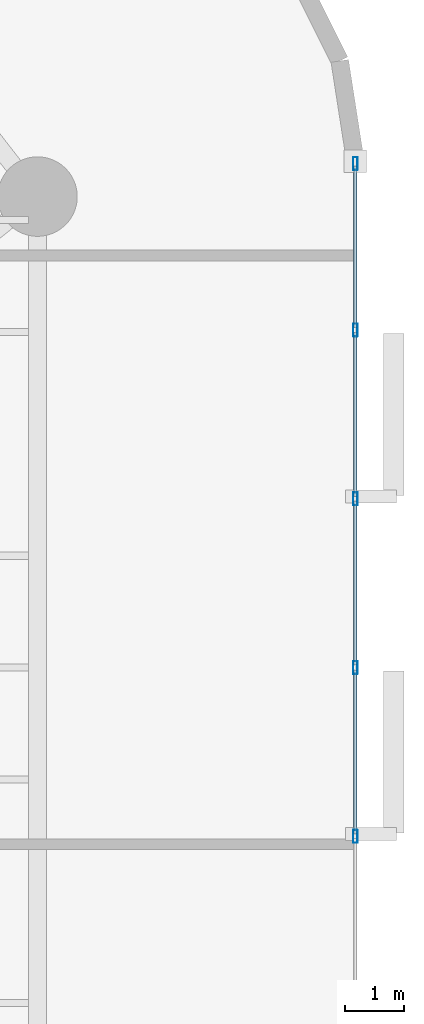
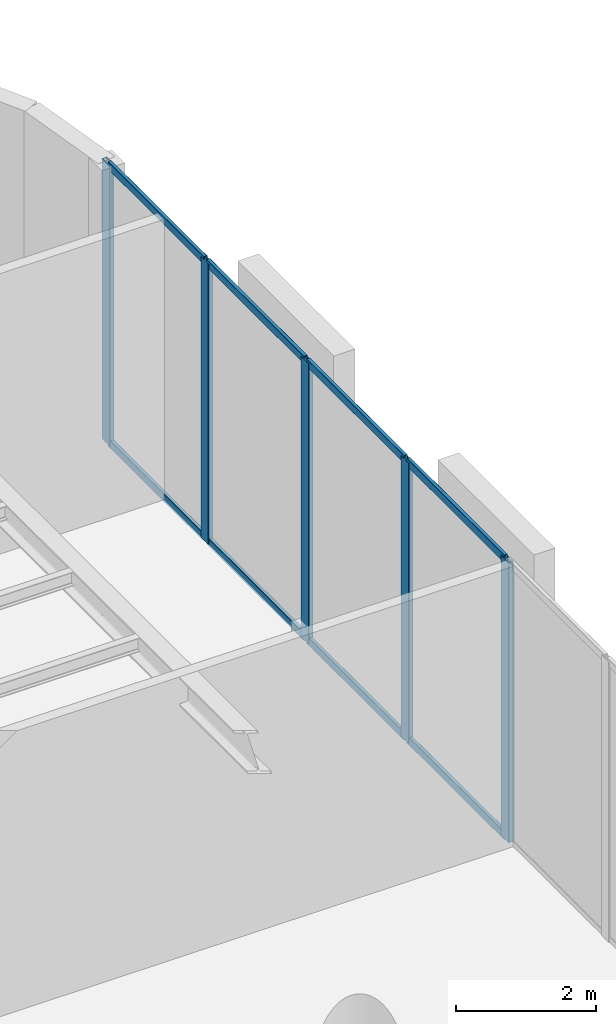
# One storey, part 6 of 14: 13 members, 1 element without a shape of its own.
"""IFC4 building model written with IfcOpenShell, lengths in metres."""

from ifc_helpers import new_model, si_unit, direction, frame, origin, origin_2d, place, context, subcontext, project, spatial, hollow_rectangle, extrude, material, layer, layer_set, material_profile, profile_set, type_object, element, aggregate, save


model = new_model("IFC4")

# Units and contexts
model_context = context("Model", 3, precision=1e-05, world=origin(), true_north=direction((0.0, 1.0)))
body_context = subcontext(model_context, "Body", "Model", "MODEL_VIEW")
ifc_project = project(units=[si_unit("LENGTHUNIT", "METRE"), si_unit("AREAUNIT", "SQUARE_METRE"), si_unit("VOLUMEUNIT", "CUBIC_METRE"), si_unit("PLANEANGLEUNIT", "RADIAN"), si_unit("MASSUNIT", "GRAM", prefix="KILO")], contexts=[model_context])

# Site, building, storey
site_placement = place(None, origin())
site = spatial("IfcSite", under=ifc_project, at=site_placement, CompositionType="ELEMENT")
building_placement = place(site_placement, origin())
building = spatial("IfcBuilding", under=site, at=building_placement, Name="An Khanh Terracotta Commons", CompositionType="ELEMENT")
storey_placement = place(building_placement, frame((0.0, 0.0, 81.199951171875)))
storey = spatial("IfcBuildingStorey", under=building, at=storey_placement, Name="L21", CompositionType="ELEMENT", Elevation=81.199951171875)

# Curtain wall, members
ifc_material = material(Name="Anodised Aluminium 6063-T6", Category="aluminium")
ifc_layer = layer(ifc_material, 0.239990234375, Name="Anodised Aluminium 6063-T6")
ifc_layer_set = layer_set([ifc_layer], Name="Anodised Aluminium 6063-T6")
curtain_wall_type = type_object("IfcCurtainWallType", Name="CW-SYS-04", PredefinedType="USERDEFINED", material=ifc_layer_set)
curtain_wall_placement = place(storey_placement, origin())
curtain_wall = element("IfcCurtainWall", 1, at=curtain_wall_placement, inside=storey, type_object=curtain_wall_type, Name="L21 CW-04 Unitised Curtain Wall CW-L21-12", ObjectType="UNITISED CURTAIN WALL", PredefinedType="USERDEFINED")
ifc_material_profile_1 = material_profile(ifc_material, hollow_rectangle(XDim=0.080078125, YDim=0.219970703125, WallThickness=0.0048828125, InnerFilletRadius=0.0048828125, OuterFilletRadius=0.010009765625, at=origin_2d()), Name="RHS220x80x5")
ifc_profile_set_1 = profile_set([ifc_material_profile_1], Name="Anodised Aluminium 6063-T6")
member_type_1 = type_object("IfcMemberType", Name="CWM-RHS220x80x5", PredefinedType="MULLION", material=ifc_profile_set_1)
member_1_placement = place(storey_placement, frame((57.39990234375, 21.13330078125, 0.0), z_axis=(0.0, 0.0, 1.0), x_axis=(-1.0, 0.0, 0.0)))
member_1 = element("IfcMember", 2, at=member_1_placement, type_object=member_type_1, Name="CW-04 mullion 3", PredefinedType="MULLION", context=body_context, shape_type="SweptSolid", body=[
    extrude(hollow_rectangle(XDim=0.080078125, YDim=0.219970703125, WallThickness=0.0048828125, InnerFilletRadius=0.0048828125, OuterFilletRadius=0.010009765625, at=origin_2d()), origin(), (0.0, 0.0, 1.0), 4.900146484375),
])
member_2_placement = place(storey_placement, frame((57.39990234375, 24.0, 0.0), z_axis=(0.0, 0.0, 1.0), x_axis=(-1.0, 0.0, 0.0)))
member_2 = element("IfcMember", 3, at=member_2_placement, type_object=member_type_1, Name="CW-04 mullion 4", PredefinedType="MULLION", context=body_context, shape_type="SweptSolid", body=[
    extrude(hollow_rectangle(XDim=0.080078125, YDim=0.219970703125, WallThickness=0.0048828125, InnerFilletRadius=0.0048828125, OuterFilletRadius=0.010009765625, at=origin_2d()), origin(), (0.0, 0.0, 1.0), 4.900146484375),
])
member_3_placement = place(storey_placement, frame((57.39990234375, 26.86669921875, 0.0), z_axis=(0.0, 0.0, 1.0), x_axis=(-1.0, 0.0, 0.0)))
member_3 = element("IfcMember", 4, at=member_3_placement, type_object=member_type_1, Name="CW-04 mullion 5", PredefinedType="MULLION", context=body_context, shape_type="SweptSolid", body=[
    extrude(hollow_rectangle(XDim=0.080078125, YDim=0.219970703125, WallThickness=0.0048828125, InnerFilletRadius=0.0048828125, OuterFilletRadius=0.010009765625, at=origin_2d()), origin(), (0.0, 0.0, 1.0), 4.900146484375),
])
member_4_placement = place(storey_placement, frame((57.39990234375, 29.7333984375, 0.0), z_axis=(0.0, 0.0, 1.0), x_axis=(-1.0, 0.0, 0.0)))
member_4 = element("IfcMember", 5, at=member_4_placement, type_object=member_type_1, Name="CW-04 mullion 6", PredefinedType="MULLION", context=body_context, shape_type="SweptSolid", body=[
    extrude(hollow_rectangle(XDim=0.080078125, YDim=0.219970703125, WallThickness=0.0048828125, InnerFilletRadius=0.0048828125, OuterFilletRadius=0.010009765625, at=origin_2d()), origin(), (0.0, 0.0, 1.0), 4.900146484375),
])
member_5_placement = place(storey_placement, frame((57.39990234375, 32.56005859375, 0.0), z_axis=(0.0, 0.0, 1.0), x_axis=(-1.0, 0.0, 0.0)))
member_5 = element("IfcMember", 6, at=member_5_placement, type_object=member_type_1, Name="CW-04 mullion 7", PredefinedType="MULLION", context=body_context, shape_type="SweptSolid", body=[
    extrude(hollow_rectangle(XDim=0.080078125, YDim=0.219970703125, WallThickness=0.0048828125, InnerFilletRadius=0.0048828125, OuterFilletRadius=0.010009765625, at=origin_2d()), origin(), (0.0, 0.0, 1.0), 4.900146484375),
])
ifc_material_profile_2 = material_profile(ifc_material, hollow_rectangle(XDim=0.06005859375, YDim=0.135009765625, WallThickness=0.003662109375, InnerFilletRadius=0.003662109375, OuterFilletRadius=0.007080078125, at=origin_2d()), Name="RHS135x60x3.6")
ifc_profile_set_2 = profile_set([ifc_material_profile_2], Name="Anodised Aluminium 6063-T6")
member_type_2 = type_object("IfcMemberType", Name="CWT-RHS135x60x3.6", PredefinedType="USERDEFINED", material=ifc_profile_set_2)
member_6_placement = place(storey_placement, frame((57.39990234375, 21.17333984375, 0.030029296875), z_axis=(0.0, 1.0, 0.0), x_axis=(-1.0, 0.0, 0.0)))
member_6 = element("IfcMember", 7, at=member_6_placement, type_object=member_type_2, Name="CW-04 transom 3.1", ObjectType="TRANSOM", PredefinedType="USERDEFINED", context=body_context, shape_type="SweptSolid", body=[
    extrude(hollow_rectangle(XDim=0.06005859375, YDim=0.135009765625, WallThickness=0.003662109375, InnerFilletRadius=0.003662109375, OuterFilletRadius=0.007080078125, at=origin_2d()), origin(), (0.0, 0.0, 1.0), 2.78662109375),
])
member_7_placement = place(storey_placement, frame((57.39990234375, 21.17333984375, 4.8701171875), z_axis=(0.0, 1.0, 0.0), x_axis=(-1.0, 0.0, 0.0)))
member_7 = element("IfcMember", 8, at=member_7_placement, type_object=member_type_2, Name="CW-04 transom 3.2", ObjectType="TRANSOM", PredefinedType="USERDEFINED", context=body_context, shape_type="SweptSolid", body=[
    extrude(hollow_rectangle(XDim=0.06005859375, YDim=0.135009765625, WallThickness=0.003662109375, InnerFilletRadius=0.003662109375, OuterFilletRadius=0.007080078125, at=origin_2d()), origin(), (0.0, 0.0, 1.0), 2.78662109375),
])
member_8_placement = place(storey_placement, frame((57.39990234375, 24.0400390625, 0.030029296875), z_axis=(0.0, 1.0, 0.0), x_axis=(-1.0, 0.0, 0.0)))
member_8 = element("IfcMember", 9, at=member_8_placement, type_object=member_type_2, Name="CW-04 transom 4.1", ObjectType="TRANSOM", PredefinedType="USERDEFINED", context=body_context, shape_type="SweptSolid", body=[
    extrude(hollow_rectangle(XDim=0.06005859375, YDim=0.135009765625, WallThickness=0.003662109375, InnerFilletRadius=0.003662109375, OuterFilletRadius=0.007080078125, at=origin_2d()), origin(), (0.0, 0.0, 1.0), 2.78662109375),
])
member_9_placement = place(storey_placement, frame((57.39990234375, 24.0400390625, 4.8701171875), z_axis=(0.0, 1.0, 0.0), x_axis=(-1.0, 0.0, 0.0)))
member_9 = element("IfcMember", 10, at=member_9_placement, type_object=member_type_2, Name="CW-04 transom 4.2", ObjectType="TRANSOM", PredefinedType="USERDEFINED", context=body_context, shape_type="SweptSolid", body=[
    extrude(hollow_rectangle(XDim=0.06005859375, YDim=0.135009765625, WallThickness=0.003662109375, InnerFilletRadius=0.003662109375, OuterFilletRadius=0.007080078125, at=origin_2d()), origin(), (0.0, 0.0, 1.0), 2.78662109375),
])
member_10_placement = place(storey_placement, frame((57.39990234375, 26.90673828125, 0.030029296875), z_axis=(0.0, 1.0, 0.0), x_axis=(-1.0, 0.0, 0.0)))
member_10 = element("IfcMember", 11, at=member_10_placement, type_object=member_type_2, Name="CW-04 transom 5.1", ObjectType="TRANSOM", PredefinedType="USERDEFINED", context=body_context, shape_type="SweptSolid", body=[
    extrude(hollow_rectangle(XDim=0.06005859375, YDim=0.135009765625, WallThickness=0.003662109375, InnerFilletRadius=0.003662109375, OuterFilletRadius=0.007080078125, at=origin_2d()), origin(), (0.0, 0.0, 1.0), 2.78662109375),
])
member_11_placement = place(storey_placement, frame((57.39990234375, 26.90673828125, 4.8701171875), z_axis=(0.0, 1.0, 0.0), x_axis=(-1.0, 0.0, 0.0)))
member_11 = element("IfcMember", 12, at=member_11_placement, type_object=member_type_2, Name="CW-04 transom 5.2", ObjectType="TRANSOM", PredefinedType="USERDEFINED", context=body_context, shape_type="SweptSolid", body=[
    extrude(hollow_rectangle(XDim=0.06005859375, YDim=0.135009765625, WallThickness=0.003662109375, InnerFilletRadius=0.003662109375, OuterFilletRadius=0.007080078125, at=origin_2d()), origin(), (0.0, 0.0, 1.0), 2.78662109375),
])
member_12_placement = place(storey_placement, frame((57.39990234375, 29.7734375, 0.030029296875), z_axis=(0.0, 1.0, 0.0), x_axis=(-1.0, 0.0, 0.0)))
member_12 = element("IfcMember", 13, at=member_12_placement, type_object=member_type_2, Name="CW-04 transom 6.1", ObjectType="TRANSOM", PredefinedType="USERDEFINED", context=body_context, shape_type="SweptSolid", body=[
    extrude(hollow_rectangle(XDim=0.06005859375, YDim=0.135009765625, WallThickness=0.003662109375, InnerFilletRadius=0.003662109375, OuterFilletRadius=0.007080078125, at=origin_2d()), origin(), (0.0, 0.0, 1.0), 2.74658203125),
])
member_13_placement = place(storey_placement, frame((57.39990234375, 29.7734375, 4.8701171875), z_axis=(0.0, 1.0, 0.0), x_axis=(-1.0, 0.0, 0.0)))
member_13 = element("IfcMember", 14, at=member_13_placement, type_object=member_type_2, Name="CW-04 transom 6.2", ObjectType="TRANSOM", PredefinedType="USERDEFINED", context=body_context, shape_type="SweptSolid", body=[
    extrude(hollow_rectangle(XDim=0.06005859375, YDim=0.135009765625, WallThickness=0.003662109375, InnerFilletRadius=0.003662109375, OuterFilletRadius=0.007080078125, at=origin_2d()), origin(), (0.0, 0.0, 1.0), 2.74658203125),
])
aggregate(curtain_wall, [member_1, member_2, member_3, member_4, member_5, member_6, member_7, member_8, member_9, member_10, member_11, member_12, member_13])

save(model, "model.ifc")
